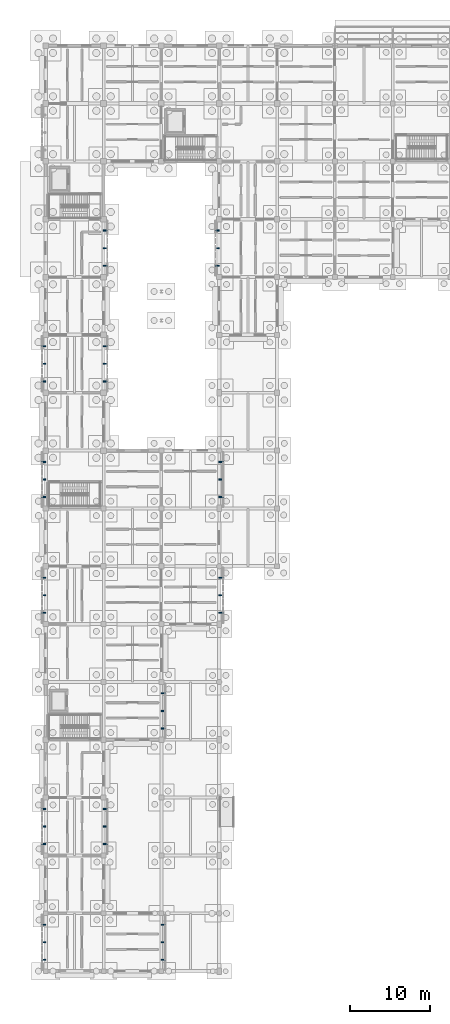
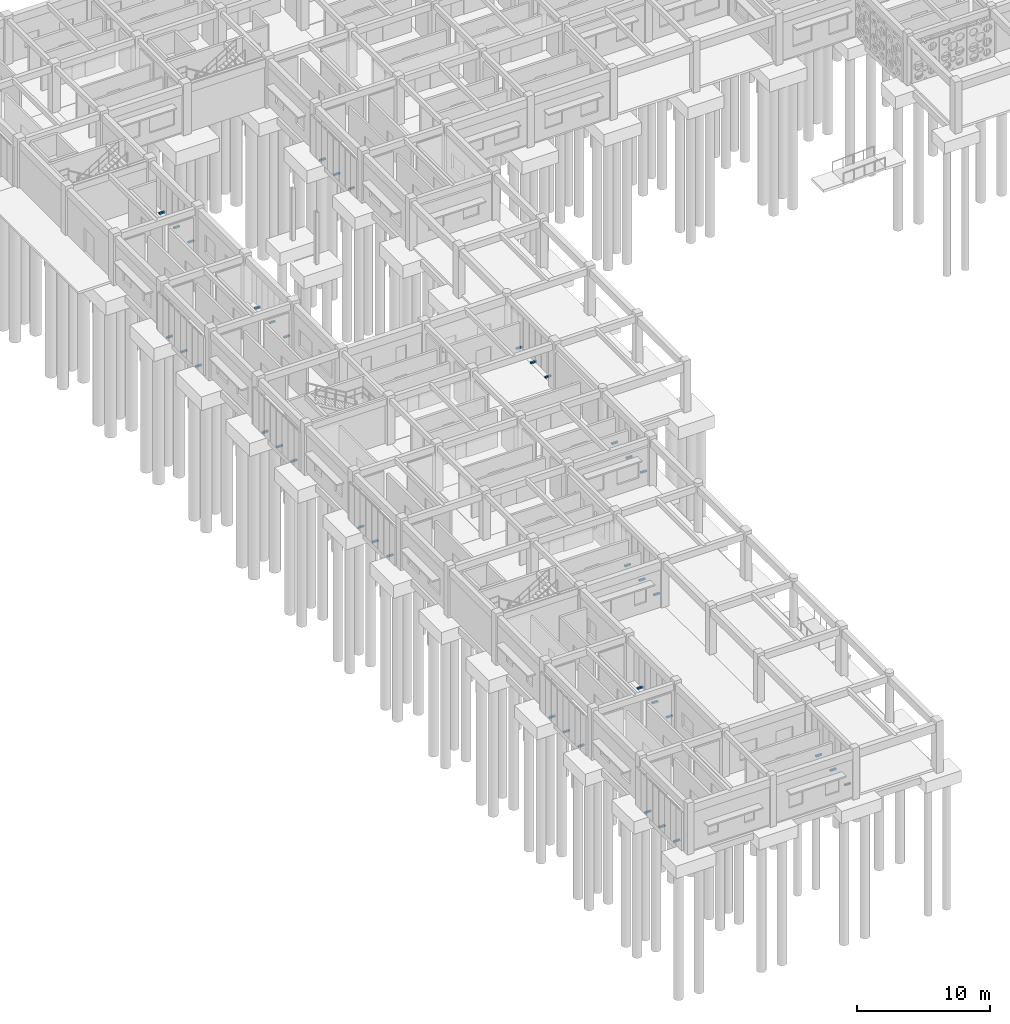
# One storey, part 87 of 111: 39 discrete accessories.
"""IFC4 building model written with IfcOpenShell, lengths in metres."""

from ifc_helpers import new_model, si_unit, direction, frame, origin, origin_2d, place, context, subcontext, project, spatial, rectangle, extrude, material, type_object, element, save


model = new_model("IFC4")

# Units and contexts
model_context = context("Model", 3, precision=1e-05, world=origin(), true_north=direction((0.0, 1.0)))
body_context = subcontext(model_context, "Body", "Model", "MODEL_VIEW")
ifc_project = project(units=[si_unit("LENGTHUNIT", "METRE"), si_unit("AREAUNIT", "SQUARE_METRE"), si_unit("VOLUMEUNIT", "CUBIC_METRE"), si_unit("PLANEANGLEUNIT", "RADIAN"), si_unit("MASSUNIT", "GRAM", prefix="KILO")], contexts=[model_context])

# Site, building, storey
site_placement = place(None, origin())
site = spatial("IfcSite", under=ifc_project, at=site_placement, CompositionType="ELEMENT")
building_placement = place(site_placement, origin())
building = spatial("IfcBuilding", under=site, at=building_placement, Name="Aldebral Square Health Centre", CompositionType="ELEMENT")
storey_placement = place(building_placement, origin())
storey = spatial("IfcBuildingStorey", under=building, at=storey_placement, Name="L00", CompositionType="ELEMENT", Elevation=0.0)

# Discrete accessories
ifc_material = material(Name="Steel S355JR", Category="steel")
discrete_accessory_type = type_object("IfcDiscreteAccessoryType", Name="ACC-BRK-1", PredefinedType="BRACKET", material=ifc_material)
for number, where, z_axis, x_axis, name in (
    (1, (-0.22998046875, 5.783935546875, -0.009765625), (0.0, 0.0, 1.0), (0.0, 1.0, 0.0), "L00 finned curtain-wall bracket L00-V6-00-00-W.1"),
    (2, (-0.22998046875, 3.60009765625, -0.009765625), (0.0, 0.0, 1.0), (0.0, 1.0, 0.0), "L00 finned curtain-wall bracket L00-V6-00-00-W.2"),
    (3, (-0.22998046875, 1.416015625, -0.009765625), (0.0, 0.0, 1.0), (0.0, 1.0, 0.0), "L00 finned curtain-wall bracket L00-V6-00-00-W.3"),
    (4, (-0.22998046875, 20.18408203125, -0.009765625), (0.0, 0.0, 1.0), (0.0, 1.0, 0.0), "L00 finned curtain-wall bracket L00-V6-00-02-W.1"),
    (5, (-0.22998046875, 18.0, -0.009765625), (0.0, 0.0, 1.0), (0.0, 1.0, 0.0), "L00 finned curtain-wall bracket L00-V6-00-02-W.2"),
    (6, (-0.22998046875, 15.81591796875, -0.009765625), (0.0, 0.0, 1.0), (0.0, 1.0, 0.0), "L00 finned curtain-wall bracket L00-V6-00-02-W.3"),
    (7, (7.429931640625, 15.81591796875, -0.009765625), (0.0, 0.0, 1.0), (0.0, 1.0, 0.0), "L00 finned curtain-wall bracket L00-V6-00-02-E.1"),
    (8, (7.429931640625, 18.0, -0.009765625), (0.0, 0.0, 1.0), (0.0, 1.0, 0.0), "L00 finned curtain-wall bracket L00-V6-00-02-E.2"),
    (9, (7.429931640625, 20.18408203125, -0.009765625), (0.0, 0.0, 1.0), (0.0, 1.0, 0.0), "L00 finned curtain-wall bracket L00-V6-00-02-E.3"),
    (10, (-0.22998046875, 48.98388671875, -0.009765625), (0.0, 0.0, 1.0), (0.0, 1.0, 0.0), "L00 finned curtain-wall bracket L00-V6-00-06-W.1"),
    (11, (-0.22998046875, 46.800048828125, -0.009765625), (0.0, 0.0, 1.0), (0.0, 1.0, 0.0), "L00 finned curtain-wall bracket L00-V6-00-06-W.2"),
    (12, (-0.22998046875, 44.615966796875, -0.009765625), (0.0, 0.0, 1.0), (0.0, 1.0, 0.0), "L00 finned curtain-wall bracket L00-V6-00-06-W.3"),
    (13, (-0.22998046875, 63.384033203125, -0.009765625), (0.0, 0.0, 1.0), (0.0, 1.0, 0.0), "L00 finned curtain-wall bracket L00-V4-00-08-W.1"),
    (14, (-0.22998046875, 61.199951171875, -0.009765625), (0.0, 0.0, 1.0), (0.0, 1.0, 0.0), "L00 finned curtain-wall bracket L00-V4-00-08-W.2"),
    (15, (-0.22998046875, 59.01611328125, -0.009765625), (0.0, 0.0, 1.0), (0.0, 1.0, 0.0), "L00 finned curtain-wall bracket L00-V4-00-08-W.3"),
    (16, (-0.22998046875, 77.783935546875, -0.009765625), (0.0, 0.0, 1.0), (0.0, 1.0, 0.0), "L00 finned curtain-wall bracket L00-V4-00-10-W.1"),
    (17, (-0.22998046875, 75.60009765625, -0.009765625), (0.0, 0.0, 1.0), (0.0, 1.0, 0.0), "L00 finned curtain-wall bracket L00-V4-00-10-W.2"),
    (18, (-0.22998046875, 73.416015625, -0.009765625), (0.0, 0.0, 1.0), (0.0, 1.0, 0.0), "L00 finned curtain-wall bracket L00-V4-00-10-W.3"),
    (19, (7.429931640625, 73.416015625, -0.009765625), (0.0, 0.0, 1.0), (0.0, 1.0, 0.0), "L00 finned curtain-wall bracket L00-V4-00-10-E.1"),
    (20, (7.429931640625, 75.60009765625, -0.009765625), (0.0, 0.0, 1.0), (0.0, 1.0, 0.0), "L00 finned curtain-wall bracket L00-V4-00-10-E.2"),
    (21, (7.429931640625, 77.783935546875, -0.009765625), (0.0, 0.0, 1.0), (0.0, 1.0, 0.0), "L00 finned curtain-wall bracket L00-V4-00-10-E.3"),
    (22, (7.429931640625, 87.81591796875, -0.009765625), (0.0, 0.0, 1.0), (0.0, 1.0, 0.0), "L00 finned curtain-wall bracket L00-V4-00-12-E.1"),
    (23, (7.429931640625, 90.0, -0.009765625), (0.0, 0.0, 1.0), (0.0, 1.0, 0.0), "L00 finned curtain-wall bracket L00-V4-00-12-E.2"),
    (24, (7.429931640625, 92.18408203125, -0.009765625), (0.0, 0.0, 1.0), (0.0, 1.0, 0.0), "L00 finned curtain-wall bracket L00-V4-00-12-E.3"),
    (25, (14.6298828125, 1.416015625, -0.009765625), (0.0, 0.0, 1.0), (0.0, 1.0, 0.0), "L00 finned curtain-wall bracket L00-V6-01-00-E.1"),
    (26, (14.6298828125, 3.60009765625, -0.009765625), (0.0, 0.0, 1.0), (0.0, 1.0, 0.0), "L00 finned curtain-wall bracket L00-V6-01-00-E.2"),
    (27, (14.6298828125, 5.783935546875, -0.009765625), (0.0, 0.0, 1.0), (0.0, 1.0, 0.0), "L00 finned curtain-wall bracket L00-V6-01-00-E.3"),
    (28, (14.6298828125, 30.216064453125, -0.009765625), (0.0, 0.0, 1.0), (0.0, 1.0, 0.0), "L00 finned curtain-wall bracket L00-V6-01-04-E.1"),
    (29, (14.6298828125, 32.39990234375, -0.009765625), (0.0, 0.0, 1.0), (0.0, 1.0, 0.0), "L00 finned curtain-wall bracket L00-V6-01-04-E.2"),
    (30, (14.6298828125, 34.583984375, -0.009765625), (0.0, 0.0, 1.0), (0.0, 1.0, 0.0), "L00 finned curtain-wall bracket L00-V6-01-04-E.3"),
    (31, (21.830078125, 44.615966796875, -0.009765625), (0.0, 0.0, 1.0), (0.0, 1.0, 0.0), "L00 finned curtain-wall bracket L00-V6-02-06-E.1"),
    (32, (21.830078125, 46.800048828125, -0.009765625), (0.0, 0.0, 1.0), (0.0, 1.0, 0.0), "L00 finned curtain-wall bracket L00-V6-02-06-E.2"),
    (33, (21.830078125, 48.98388671875, -0.009765625), (0.0, 0.0, 1.0), (0.0, 1.0, 0.0), "L00 finned curtain-wall bracket L00-V6-02-06-E.3"),
    (34, (21.830078125, 59.01611328125, -0.009765625), (0.0, 0.0, 1.0), (0.0, 1.0, 0.0), "L00 finned curtain-wall bracket L00-V4-02-08-E.1"),
    (35, (21.830078125, 61.199951171875, -0.009765625), (0.0, 0.0, 1.0), (0.0, 1.0, 0.0), "L00 finned curtain-wall bracket L00-V4-02-08-E.2"),
    (36, (21.830078125, 63.384033203125, -0.009765625), (0.0, 0.0, 1.0), (0.0, 1.0, 0.0), "L00 finned curtain-wall bracket L00-V4-02-08-E.3"),
    (37, (21.3701171875, 92.18408203125, -0.009765625), (0.0, 0.0, 1.0), (0.0, 1.0, 0.0), "L00 finned curtain-wall bracket L00-V4-03-12-W.1"),
    (38, (21.3701171875, 90.0, -0.009765625), (0.0, 0.0, 1.0), (0.0, 1.0, 0.0), "L00 finned curtain-wall bracket L00-V4-03-12-W.2"),
    (39, (21.3701171875, 87.81591796875, -0.009765625), (0.0, 0.0, 1.0), (0.0, 1.0, 0.0), "L00 finned curtain-wall bracket L00-V4-03-12-W.3"),
):
    element("IfcDiscreteAccessory", number, at=place(storey_placement, frame(where, z_axis=z_axis, x_axis=x_axis)), inside=storey, type_object=discrete_accessory_type, Name=name, PredefinedType="BRACKET", context=body_context, shape_type="SweptSolid", body=[
        extrude(rectangle(XDim=0.159912109375, YDim=0.52001953125, at=origin_2d()), origin(), (0.0, 0.0, 1.0), 0.139892578125),
    ])

save(model, "model.ifc")
